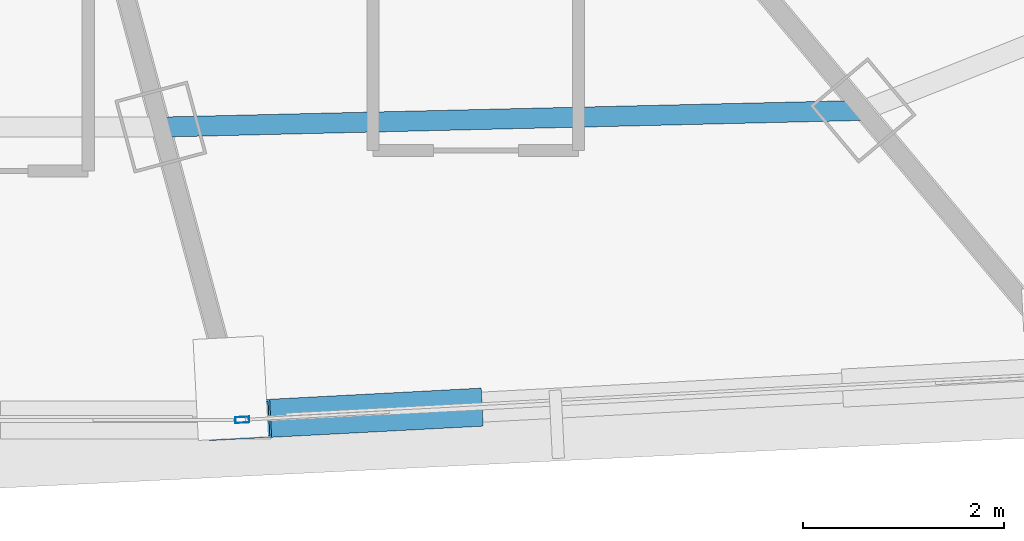
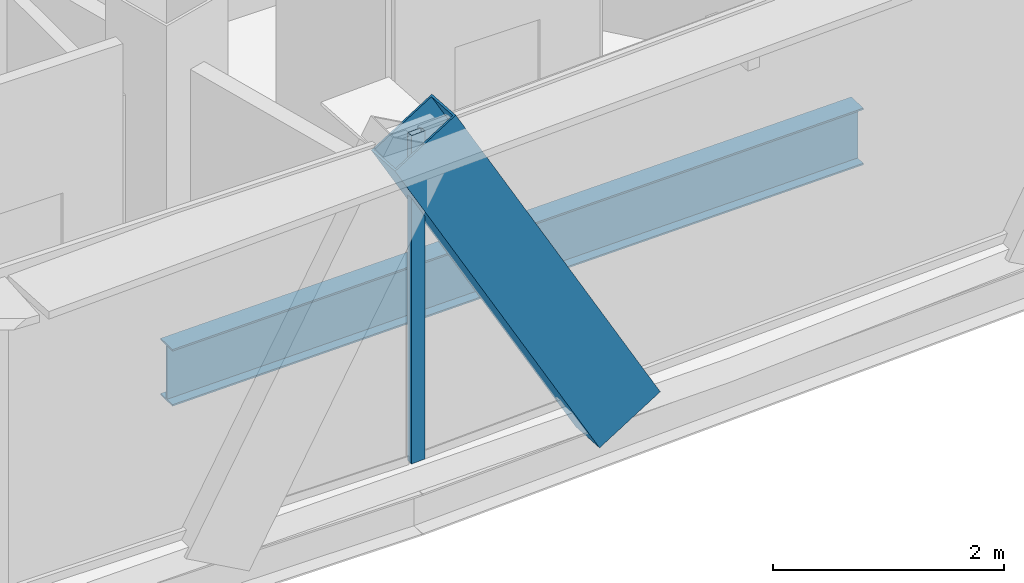
# One storey, part 11 of 39: 2 members, 1 beam, 1 element without a shape of its own.
"""IFC4 building model written with IfcOpenShell, lengths in metres."""

from ifc_helpers import new_model, si_unit, direction, frame, origin, origin_2d, place, context, subcontext, project, spatial, hollow_rectangle, i_section, extrude, source, transform, mapped, material, layer, layer_set, material_profile, profile_set, type_object, element, aggregate, save


model = new_model("IFC4")

# Units and contexts
model_context = context("Model", 3, precision=1e-05, world=origin(), true_north=direction((0.0, 1.0)))
body_context = subcontext(model_context, "Body", "Model", "MODEL_VIEW")
ifc_project = project(units=[si_unit("LENGTHUNIT", "METRE"), si_unit("AREAUNIT", "SQUARE_METRE"), si_unit("VOLUMEUNIT", "CUBIC_METRE"), si_unit("PLANEANGLEUNIT", "RADIAN"), si_unit("MASSUNIT", "GRAM", prefix="KILO"), si_unit("THERMODYNAMICTEMPERATUREUNIT", "KELVIN"), si_unit("POWERUNIT", "WATT")], contexts=[model_context])

# Site, building, storey
site_placement = place(None, origin())
site = spatial("IfcSite", under=ifc_project, at=site_placement, CompositionType="ELEMENT")
building_placement = place(site_placement, origin())
building = spatial("IfcBuilding", under=site, at=building_placement, Name="Yunzhuo Pagoda Commons", CompositionType="ELEMENT")
storey_placement = place(building_placement, frame((0.0, 0.0, 285.02001953125)))
storey = spatial("IfcBuildingStorey", under=building, at=storey_placement, Name="L71", CompositionType="ELEMENT", Elevation=285.02001953125)

# Beam
ifc_material_1 = material(Name="Structural steel Q355B", Category="steel")
ifc_material_profile_1 = material_profile(ifc_material_1, i_section(OverallWidth=0.199951171875, OverallDepth=0.60009765625, WebThickness=0.010986328125, FlangeThickness=0.01708984375, at=origin_2d()), Name="Structural steel Q355B")
ifc_profile_set_1 = profile_set([ifc_material_profile_1], Name="Structural steel Q355B")
beam_type = type_object("IfcBeamType", Name="B-RG3 Beam HN 600x200x11x17", PredefinedType="BEAM", material=ifc_profile_set_1)
shared_shape_1 = source(origin(), body_context, "Body", "SweptSolid", [
    extrude(i_section(OverallWidth=0.199951171875, OverallDepth=0.60009765625, WebThickness=0.010986328125, FlangeThickness=0.01708984375, at=origin_2d()), origin(), (0.0, 0.0, 1.0), 7.0048828125),
])
beam_placement = place(storey_placement, frame((51.3505859375, 21.195556640625, -0.56005859375), z_axis=(0.99971911704, 0.023699937233, 0.0), x_axis=(-0.023699937233, 0.99971911704, 0.0)))
element("IfcBeam", 1, at=beam_placement, inside=storey, type_object=beam_type, Name="L71 column-ring beam 3", PredefinedType="BEAM", context=body_context, shape_type="MappedRepresentation", body=[
    mapped(shared_shape_1, transform((0.0, 0.0, 0.0), scale=1.0)),
])

# Member
ifc_material_profile_2 = material_profile(ifc_material_1, hollow_rectangle(XDim=0.3798828125, YDim=0.719970703125, WallThickness=0.02001953125, at=origin_2d()), Name="Structural steel Q355B")
ifc_profile_set_2 = profile_set([ifc_material_profile_2], Name="Structural steel Q355B")
member_type_1 = type_object("IfcMemberType", Name="M-DL3 Brace BOX 720x380x20", PredefinedType="BRACE", material=ifc_profile_set_2)
shared_shape_2 = source(origin(), body_context, "Body", "SweptSolid", [
    extrude(hollow_rectangle(XDim=0.3798828125, YDim=0.719970703125, WallThickness=0.02001953125, at=origin_2d()), origin(), (0.0, 0.0, 1.0), 4.286376953125),
])
member_1_placement = place(storey_placement, frame((54.241943359375, 18.38671875, -0.260009765625), z_axis=(-0.492003866462, -0.025972882971, 0.870205495694), x_axis=(0.052716593913, -0.998609513637, 0.0)))
element("IfcMember", 2, at=member_1_placement, inside=storey, type_object=member_type_1, Name="L71 facade diamond brace F1.3L", PredefinedType="BRACE", context=body_context, shape_type="MappedRepresentation", body=[
    mapped(shared_shape_2, transform((0.0, 0.0, 0.0), scale=1.0)),
])

# Curtain wall, member
ifc_material_2 = material(Name="Anodized aluminium 6063-T6", Category="aluminium")
ifc_layer = layer(ifc_material_2, 0.139892578125)
ifc_layer_set = layer_set([ifc_layer], Name="Anodized aluminium 6063-T6")
curtain_wall_type = type_object("IfcCurtainWallType", Name="CW-HI High-Zone Ribbon Curtain Wall", PredefinedType="NOTDEFINED", material=ifc_layer_set)
curtain_wall_placement = place(storey_placement, origin())
curtain_wall = element("IfcCurtainWall", 3, at=curtain_wall_placement, inside=storey, type_object=curtain_wall_type, Name="L71 curtain wall CW-L71-F1B4", PredefinedType="NOTDEFINED")
ifc_material_profile_3 = material_profile(ifc_material_2, hollow_rectangle(XDim=0.06005859375, YDim=0.139892578125, WallThickness=0.00341796875, at=origin_2d()), Name="Anodized aluminium 6063-T6")
ifc_profile_set_3 = profile_set([ifc_material_profile_3], Name="Anodized aluminium 6063-T6")
member_type_2 = type_object("IfcMemberType", Name="CW-HI-M Mullion RHS 140x60x3.5", PredefinedType="MULLION", material=ifc_profile_set_3)
shared_shape_3 = source(origin(), body_context, "Body", "SweptSolid", [
    extrude(hollow_rectangle(XDim=0.06005859375, YDim=0.139892578125, WallThickness=0.00341796875, at=origin_2d()), origin(), (0.0, 0.0, 1.0), 3.4697265625),
])
member_2_placement = place(storey_placement, frame((52.1630859375, 18.276611328125, 0.000244140625), z_axis=(0.0, 0.0, 1.0), x_axis=(-0.052821657014, 0.998603961814, 0.0)))
member_2 = element("IfcMember", 4, at=member_2_placement, type_object=member_type_2, Name="CW mullion 1", PredefinedType="MULLION", context=body_context, shape_type="MappedRepresentation", body=[
    mapped(shared_shape_3, transform((0.0, 0.0, 0.0), scale=1.0)),
])
aggregate(curtain_wall, [member_2])

save(model, "model.ifc")
